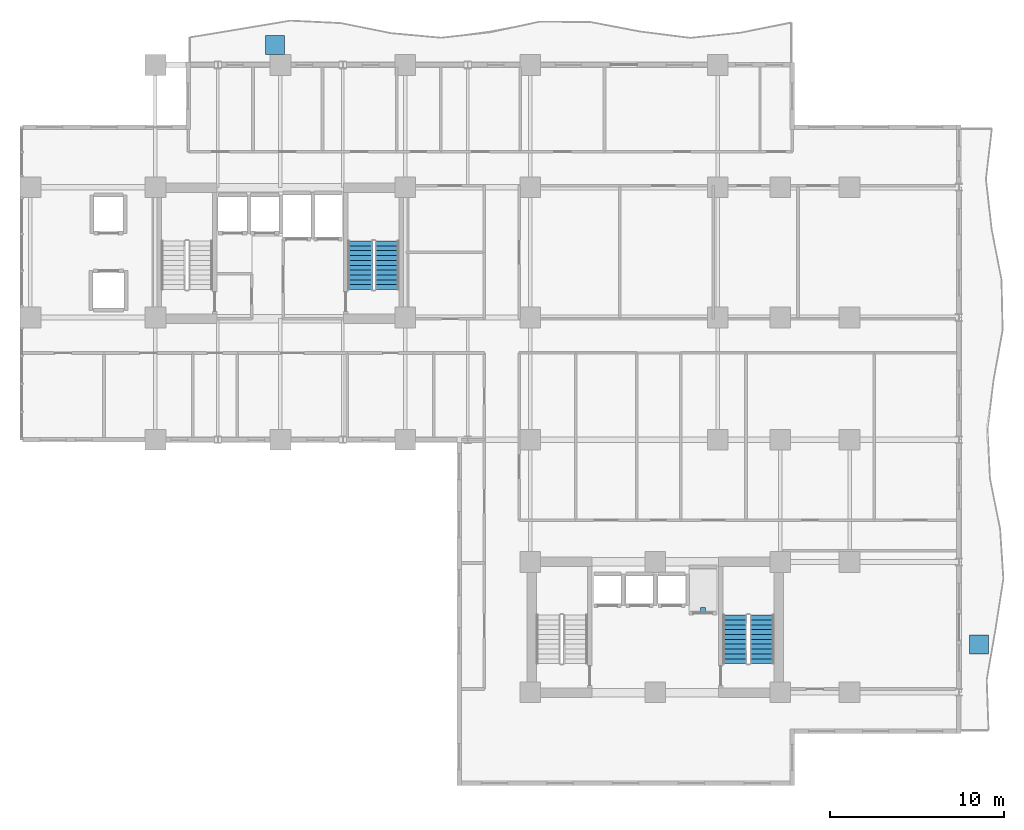
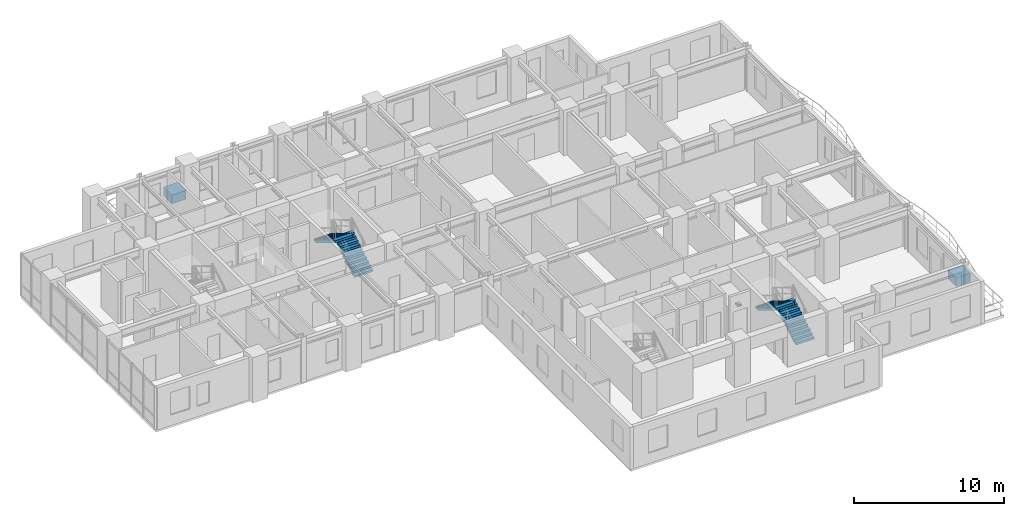
# One storey, part 14 of 18: 4 stair flights, 3 discrete accessories, 2 elements without a shape of their own.
"""IFC4 building model written with IfcOpenShell, lengths in metres."""

from ifc_helpers import new_model, si_unit, direction, frame, origin, origin_2d, place, context, subcontext, project, spatial, polyline, rectangle, outline, extrude, source, transform, mapped, material, type_object, element, aggregate, save


model = new_model("IFC4")

# Units and contexts
model_context = context("Model", 3, precision=1e-05, world=origin(), true_north=direction((0.0, 1.0)))
body_context = subcontext(model_context, "Body", "Model", "MODEL_VIEW")
ifc_project = project(units=[si_unit("LENGTHUNIT", "METRE"), si_unit("AREAUNIT", "SQUARE_METRE"), si_unit("VOLUMEUNIT", "CUBIC_METRE"), si_unit("PLANEANGLEUNIT", "RADIAN"), si_unit("MASSUNIT", "GRAM", prefix="KILO")], contexts=[model_context])

# Site, building, storey
site_placement = place(None, origin())
site = spatial("IfcSite", under=ifc_project, at=site_placement, CompositionType="ELEMENT")
building_placement = place(site_placement, origin())
building = spatial("IfcBuilding", under=site, at=building_placement, Name="Kaliganga Portal Commons", CompositionType="ELEMENT")
storey_placement = place(building_placement, frame((0.0, 0.0, 123.0)))
storey = spatial("IfcBuildingStorey", under=building, at=storey_placement, Name="L31", CompositionType="ELEMENT", Elevation=123.0)

# Stair, stair flights
ifc_material_1 = material(Name="Concrete C40/50", Category="concrete")
stair_type = type_object("IfcStairType", Name="ST-CORE-DOGLEG", PredefinedType="HALF_TURN_STAIR", material=ifc_material_1)
stair_1_placement = place(storey_placement, origin())
stair_1 = element("IfcStair", 1, at=stair_1_placement, inside=storey, type_object=stair_type, Name="L31 Protected Exit Stair ST-A2", PredefinedType="HALF_TURN_STAIR")
stair_flight_type = type_object("IfcStairFlightType", Name="STF-RC-1400", PredefinedType="STRAIGHT", material=ifc_material_1)
stair_flight_1_placement = place(storey_placement, frame((27.75, 30.25, 0.0), z_axis=(0.0, 0.0, 1.0), x_axis=(0.0, 1.0, 0.0)))
stair_flight_1 = element("IfcStairFlight", 2, at=stair_flight_1_placement, type_object=stair_flight_type, Name="ST-A2 flight 1", NumberOfRisers=11, NumberOfTreads=10, PredefinedType="STRAIGHT", RiserHeight=0.168181818, TreadLength=0.28, context=body_context, shape_type="SweptSolid", body=[
    extrude(outline(polyline([(0.0, 0.0), (0.0, 0.168212890625), (0.280029296875, 0.168212890625), (0.280029296875, 0.33642578125), (0.56005859375, 0.33642578125), (0.56005859375, 0.504638671875), (0.840087890625, 0.504638671875), (0.840087890625, 0.672607421875), (1.1201171875, 0.672607421875), (1.1201171875, 0.8408203125), (1.39990234375, 0.8408203125), (1.39990234375, 1.009033203125), (1.679931640625, 1.009033203125), (1.679931640625, 1.17724609375), (1.9599609375, 1.17724609375), (1.9599609375, 1.345458984375), (2.239990234375, 1.345458984375), (2.239990234375, 1.513671875), (2.52001953125, 1.513671875), (2.52001953125, 1.681884765625), (2.800048828125, 1.681884765625), (2.800048828125, 1.85009765625), (2.800048828125, 1.5068359375), (0.291015625, 0.0), (0.0, 0.0)])), frame((0.0, 0.699951171875, 0.0), z_axis=(0.0, -1.0, 0.0), x_axis=(1.0, 0.0, 0.0)), (0.0, 0.0, 1.0), 1.39990234375),
])
stair_flight_2_placement = place(storey_placement, frame((26.199951171875, 33.050048828125, 1.85009765625), z_axis=(0.0, 0.0, 1.0), x_axis=(0.0, -1.0, 0.0)))
stair_flight_2 = element("IfcStairFlight", 3, at=stair_flight_2_placement, type_object=stair_flight_type, Name="ST-A2 flight 2", NumberOfRisers=11, NumberOfTreads=10, PredefinedType="STRAIGHT", RiserHeight=0.168181818, TreadLength=0.28, context=body_context, shape_type="SweptSolid", body=[
    extrude(outline(polyline([(0.0, 0.0), (0.0, 0.168212890625), (0.280029296875, 0.168212890625), (0.280029296875, 0.33642578125), (0.56005859375, 0.33642578125), (0.56005859375, 0.504638671875), (0.840087890625, 0.504638671875), (0.840087890625, 0.672607421875), (1.1201171875, 0.672607421875), (1.1201171875, 0.8408203125), (1.39990234375, 0.8408203125), (1.39990234375, 1.009033203125), (1.679931640625, 1.009033203125), (1.679931640625, 1.17724609375), (1.9599609375, 1.17724609375), (1.9599609375, 1.345458984375), (2.239990234375, 1.345458984375), (2.239990234375, 1.513671875), (2.52001953125, 1.513671875), (2.52001953125, 1.681884765625), (2.800048828125, 1.681884765625), (2.800048828125, 1.85009765625), (2.800048828125, 1.5068359375), (0.291015625, 0.0), (0.0, 0.0)])), frame((0.0, 0.699951171875, 0.0), z_axis=(0.0, -1.0, 0.0), x_axis=(1.0, 0.0, 0.0)), (0.0, 0.0, 1.0), 1.39990234375),
])
aggregate(stair_1, [stair_flight_1, stair_flight_2])

stair_2_placement = place(storey_placement, origin())
stair_2 = element("IfcStair", 4, at=stair_2_placement, inside=storey, type_object=stair_type, Name="L31 Protected Exit Stair ST-B2", PredefinedType="HALF_TURN_STAIR")
stair_flight_3_placement = place(storey_placement, frame((49.35009765625, 8.699951171875, 0.0), z_axis=(0.0, 0.0, 1.0), x_axis=(0.0, 1.0, 0.0)))
stair_flight_3 = element("IfcStairFlight", 5, at=stair_flight_3_placement, type_object=stair_flight_type, Name="ST-B2 flight 1", NumberOfRisers=11, NumberOfTreads=10, PredefinedType="STRAIGHT", RiserHeight=0.168181818, TreadLength=0.28, context=body_context, shape_type="SweptSolid", body=[
    extrude(outline(polyline([(0.0, 0.0), (0.0, 0.168212890625), (0.280029296875, 0.168212890625), (0.280029296875, 0.33642578125), (0.56005859375, 0.33642578125), (0.56005859375, 0.504638671875), (0.840087890625, 0.504638671875), (0.840087890625, 0.672607421875), (1.1201171875, 0.672607421875), (1.1201171875, 0.8408203125), (1.39990234375, 0.8408203125), (1.39990234375, 1.009033203125), (1.679931640625, 1.009033203125), (1.679931640625, 1.17724609375), (1.9599609375, 1.17724609375), (1.9599609375, 1.345458984375), (2.239990234375, 1.345458984375), (2.239990234375, 1.513671875), (2.52001953125, 1.513671875), (2.52001953125, 1.681884765625), (2.800048828125, 1.681884765625), (2.800048828125, 1.85009765625), (2.800048828125, 1.5068359375), (0.291015625, 0.0), (0.0, 0.0)])), frame((0.0, 0.699951171875, 0.0), z_axis=(0.0, -1.0, 0.0), x_axis=(1.0, 0.0, 0.0)), (0.0, 0.0, 1.0), 1.39990234375),
])
stair_flight_4_placement = place(storey_placement, frame((47.800048828125, 11.5, 1.85009765625), z_axis=(0.0, 0.0, 1.0), x_axis=(0.0, -1.0, 0.0)))
stair_flight_4 = element("IfcStairFlight", 6, at=stair_flight_4_placement, type_object=stair_flight_type, Name="ST-B2 flight 2", NumberOfRisers=11, NumberOfTreads=10, PredefinedType="STRAIGHT", RiserHeight=0.168181818, TreadLength=0.28, context=body_context, shape_type="SweptSolid", body=[
    extrude(outline(polyline([(0.0, 0.0), (0.0, 0.168212890625), (0.280029296875, 0.168212890625), (0.280029296875, 0.33642578125), (0.56005859375, 0.33642578125), (0.56005859375, 0.504638671875), (0.840087890625, 0.504638671875), (0.840087890625, 0.672607421875), (1.1201171875, 0.672607421875), (1.1201171875, 0.8408203125), (1.39990234375, 0.8408203125), (1.39990234375, 1.009033203125), (1.679931640625, 1.009033203125), (1.679931640625, 1.17724609375), (1.9599609375, 1.17724609375), (1.9599609375, 1.345458984375), (2.239990234375, 1.345458984375), (2.239990234375, 1.513671875), (2.52001953125, 1.513671875), (2.52001953125, 1.681884765625), (2.800048828125, 1.681884765625), (2.800048828125, 1.85009765625), (2.800048828125, 1.5068359375), (0.291015625, 0.0), (0.0, 0.0)])), frame((0.0, 0.699951171875, 0.0), z_axis=(0.0, -1.0, 0.0), x_axis=(1.0, 0.0, 0.0)), (0.0, 0.0, 1.0), 1.39990234375),
])
aggregate(stair_2, [stair_flight_3, stair_flight_4])

# Discrete accessories
ifc_material_2 = material(Name="Precast concrete C40/50", Category="concrete")
discrete_accessory_type_1 = type_object("IfcDiscreteAccessoryType", Name="DAC-PLANTER-RC", PredefinedType="USERDEFINED", material=ifc_material_2)
shared_shape_1 = source(origin(), body_context, "Body", "SweptSolid", [
    extrude(rectangle(XDim=1.10009765625, YDim=1.10009765625, at=origin_2d()), origin(), (0.0, 0.0, 1.0), 0.719970703125),
])
for number, where, z_axis, x_axis, name in (
    (7, (21.300048828125, 44.35009765625, 0.0), (0.0, 0.0, 1.0), (1.0, 0.0, 0.0), "Structural Tree Planter L31 balc_north"),
    (8, (61.85009765625, 9.800048828125, 0.0), (0.0, 0.0, 1.0), (1.0, 0.0, 0.0), "Structural Tree Planter L31 balc_east"),
):
    element("IfcDiscreteAccessory", number, at=place(storey_placement, frame(where, z_axis=z_axis, x_axis=x_axis)), inside=storey, type_object=discrete_accessory_type_1, Name=name, ObjectType="PLANTER", PredefinedType="USERDEFINED", context=body_context, shape_type="MappedRepresentation", body=[
        mapped(shared_shape_1, transform((0.0, 0.0, 0.0), x_axis=(1.0, 0.0, 0.0), y_axis=(0.0, 1.0, 0.0), z_axis=(0.0, 0.0, 1.0), scale=1.0)),
    ])
ifc_material_3 = material(Name="Structural steel S355J2", Category="steel")
discrete_accessory_type_2 = type_object("IfcDiscreteAccessoryType", Name="DAC-LIFT-GUIDE", PredefinedType="BRACKET", material=ifc_material_3)
shared_shape_2 = source(origin(), body_context, "Body", "SweptSolid", [
    extrude(rectangle(XDim=0.300048828125, YDim=0.360107421875, at=origin_2d()), origin(), (0.0, 0.0, 1.0), 0.159912109375),
])
discrete_accessory_placement = place(storey_placement, frame((45.949951171875, 11.75, 2.33984375), z_axis=(0.0, 0.0, 1.0), x_axis=(1.0, 0.0, 0.0)))
element("IfcDiscreteAccessory", 9, at=discrete_accessory_placement, inside=storey, type_object=discrete_accessory_type_2, Name="Lift SL-B1 Guide-Rail Stabilizer Bracket", PredefinedType="BRACKET", context=body_context, shape_type="MappedRepresentation", body=[
    mapped(shared_shape_2, transform((0.0, 0.0, 0.0), x_axis=(1.0, 0.0, 0.0), y_axis=(0.0, 1.0, 0.0), z_axis=(0.0, 0.0, 1.0), scale=1.0)),
])

save(model, "model.ifc")
